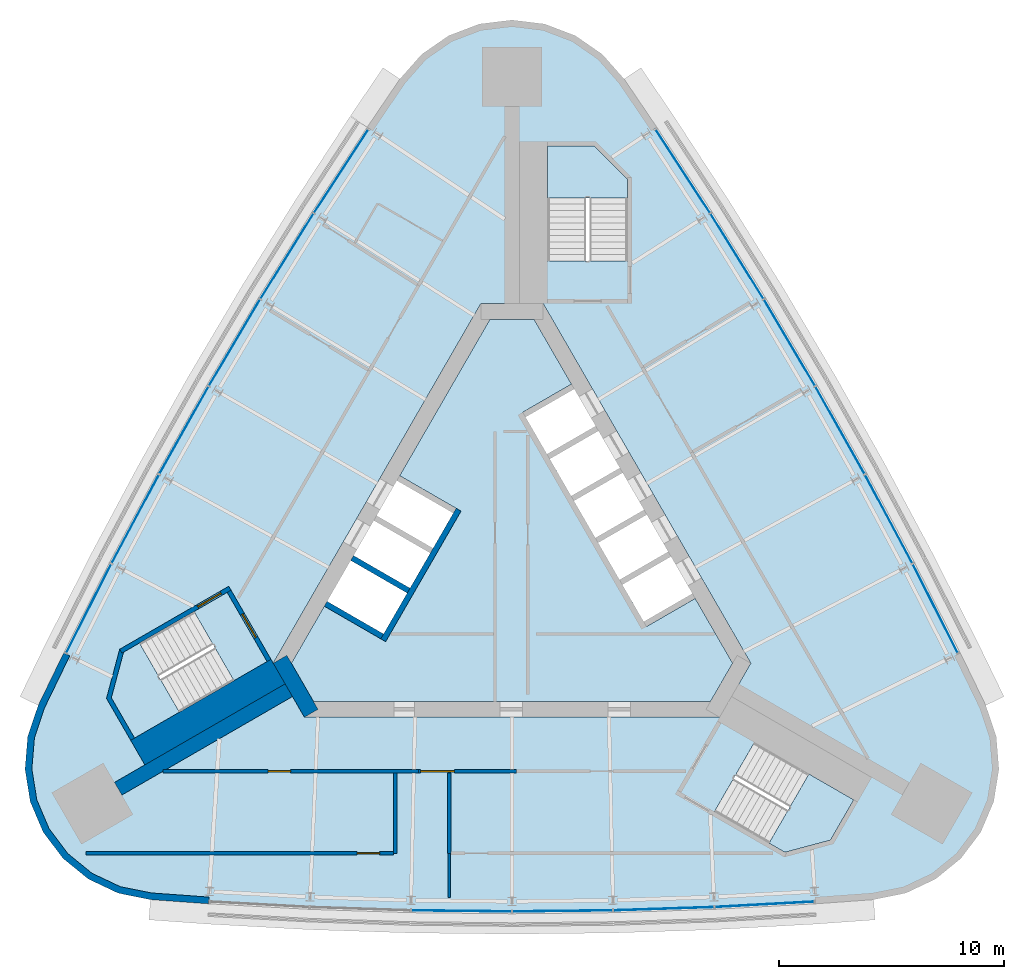
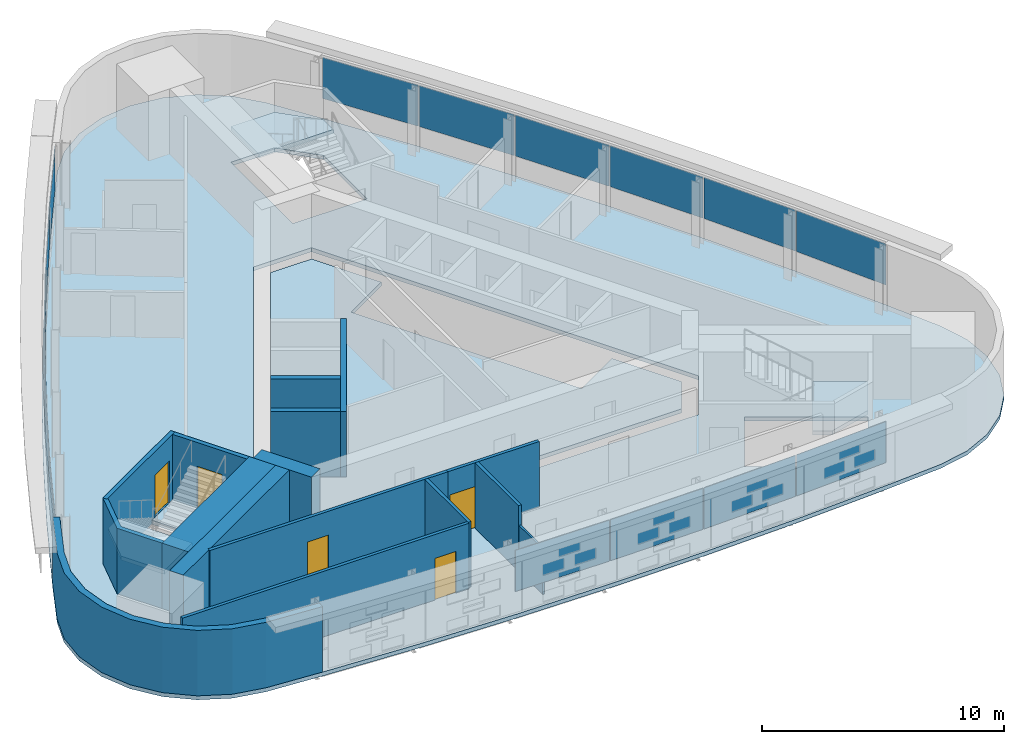
# One storey, part 6 of 11: 16 plates, 16 walls, 5 doors, 5 slabs, 5 openings, 6 elements without a shape of their own.
"""IFC4 building model written with IfcOpenShell, lengths in metres."""

from ifc_helpers import new_model, si_unit, direction, frame, frame_2d, origin, origin_2d, place, context, subcontext, project, spatial, polyline, rectangle, outline, extrude, material, layer, layer_set, type_object, element, fill, aggregate, save


model = new_model("IFC4")

# Units and contexts
model_context = context("Model", 3, precision=1e-05, world=origin(), true_north=direction((0.0, 1.0)))
body_context = subcontext(model_context, "Body", "Model", "MODEL_VIEW")
ifc_project = project(units=[si_unit("LENGTHUNIT", "METRE"), si_unit("AREAUNIT", "SQUARE_METRE"), si_unit("VOLUMEUNIT", "CUBIC_METRE"), si_unit("PLANEANGLEUNIT", "RADIAN"), si_unit("MASSUNIT", "GRAM", prefix="KILO")], contexts=[model_context])

# Site, building, storey
site_placement = place(None, origin())
site = spatial("IfcSite", under=ifc_project, at=site_placement, CompositionType="ELEMENT")
building_placement = place(site_placement, origin())
building = spatial("IfcBuilding", under=site, at=building_placement, Name="Noor Cloister Tower", CompositionType="ELEMENT")
storey_placement = place(building_placement, frame((0.0, 0.0, 206.699951171875)))
storey = spatial("IfcBuildingStorey", under=building, at=storey_placement, Name="L53", CompositionType="ELEMENT", Elevation=206.699951171875)

# Slabs
ifc_material_1 = material(Name="Concrete C40/50", Category="concrete")
ifc_layer_1 = layer(ifc_material_1, 0.199951171875)
ifc_layer_set_1 = layer_set([ifc_layer_1], Name="Core floor slab 200 C40/50")
slab_type_1 = type_object("IfcSlabType", Name="Core floor slab 200 C40/50", PredefinedType="FLOOR", material=ifc_layer_set_1)
slab_1_placement = place(storey_placement, frame((0.0, 0.0, -0.199951171875)))
element("IfcSlab", 1, at=slab_1_placement, inside=storey, type_object=slab_type_1, Name="Core floor L53", PredefinedType="FLOOR", context=body_context, shape_type="SweptSolid", body=[
    extrude(outline(polyline([(2.643798828125, 7.877197265625), (0.9814453125, 10.75634765625), (-0.9814453125, 10.75634765625), (-4.993896484375, 3.806884765625), (-2.482421875, 2.35693359375), (-5.832275390625, -3.4453125), (-8.34375, -1.995361328125), (-9.80615234375, -4.5283203125), (-8.82470703125, -6.228271484375), (8.82470703125, -6.228271484375), (9.80615234375, -4.5283203125), (8.143798828125, -1.64892578125), (5.978759765625, -2.89892578125), (0.478759765625, 6.627197265625), (2.643798828125, 7.877197265625)])), origin(), (0.0, 0.0, 1.0), 0.199951171875),
])
ifc_material_2 = material(Name="Concrete C40/50", Category="concrete")
ifc_layer_2 = layer(ifc_material_2, 0.199951171875)
ifc_layer_set_2 = layer_set([ifc_layer_2], Name="Floor slab 200 C40/50")
slab_type_2 = type_object("IfcSlabType", Name="Floor slab 200 C40/50", PredefinedType="FLOOR", material=ifc_layer_set_2)
slab_2_placement = place(storey_placement, frame((0.0, 0.0, -0.199951171875)))
element("IfcSlab", 2, at=slab_2_placement, inside=storey, type_object=slab_type_2, Name="Floor slab L53", PredefinedType="FLOOR", context=body_context, shape_type="SweptSolid", body=[
    extrude(outline(polyline([(4.985107421875, 21.43994140625), (4.018310546875, 22.535888671875), (2.816650390625, 23.36767578125), (1.45068359375, 23.88720703125), (0.0, 24.063720703125), (-1.45068359375, 23.88720703125), (-2.816650390625, 23.36767578125), (-4.018310546875, 22.535888671875), (-4.985107421875, 21.43994140625), (-6.43896484375, 19.294677734375), (-8.898681640625, 15.526611328125), (-11.275390625, 11.70556640625), (-13.56787109375, 7.83349609375), (-15.775146484375, 3.912109375), (-17.895751953125, -0.056884765625), (-19.92919921875, -4.071044921875), (-21.060302734375, -6.40283203125), (-21.52587890625, -7.7880859375), (-21.6455078125, -9.24462890625), (-21.412353515625, -10.687255859375), (-20.83984375, -12.031982421875), (-19.96142578125, -13.199951171875), (-18.82861328125, -14.123291015625), (-17.507568359375, -14.747802734375), (-16.074951171875, -15.037353515625), (-13.490234375, -15.2236328125), (-8.9970703125, -15.469970703125), (-4.499755859375, -15.61767578125), (0.0, -15.666748046875), (4.499755859375, -15.61767578125), (8.9970703125, -15.469970703125), (13.490234375, -15.2236328125), (16.074951171875, -15.037353515625), (17.507568359375, -14.747802734375), (18.82861328125, -14.123291015625), (19.96142578125, -13.199951171875), (20.83984375, -12.031982421875), (21.412353515625, -10.687255859375), (21.6455078125, -9.24462890625), (21.52587890625, -7.7880859375), (21.060302734375, -6.40283203125), (19.92919921875, -4.071044921875), (17.895751953125, -0.056884765625), (15.775146484375, 3.912109375), (13.56787109375, 7.83349609375), (11.275390625, 11.70556640625), (8.898681640625, 15.526611328125), (6.43896484375, 19.294677734375), (4.985107421875, 21.43994140625)]), holes=[polyline([(8.999755859375, -11.126220703125), (12.131591796875, -12.934326171875), (14.1572265625, -12.3916015625), (15.19091796875, -10.601318359375), (10.774658203125, -8.0517578125), (8.999755859375, -11.126220703125)]), polyline([(-17.81005859375, -6.064697265625), (-16.776611328125, -7.85498046875), (-12.3603515625, -5.305419921875), (-14.13525390625, -2.23095703125), (-16.662841796875, -3.690185546875), (-17.267333984375, -4.039306640625), (-17.81005859375, -6.064697265625)]), polyline([(-10.6142578125, -4.5283203125), (-9.228759765625, -6.92822265625), (9.228759765625, -6.92822265625), (10.6142578125, -4.5283203125), (1.3857421875, 11.456298828125), (-1.3857421875, 11.456298828125), (-10.6142578125, -4.5283203125)]), polyline([(3.65283203125, 18.456298828125), (1.585693359375, 18.456298828125), (1.585693359375, 13.35693359375), (5.135498046875, 13.35693359375), (5.135498046875, 16.9736328125), (3.65283203125, 18.456298828125)])]), origin(), (0.0, 0.0, 1.0), 0.199951171875),
])

# Curtain wall, plates
ifc_material_3 = material(Name="Aluminium 6063-T6 anodised", Category="aluminium")
curtain_wall_type = type_object("IfcCurtainWallType", Name="Ribbon curtain wall, upper tower CW5", PredefinedType="NOTDEFINED", material=ifc_material_3)
curtain_wall_1_placement = place(storey_placement, origin())
curtain_wall_1 = element("IfcCurtainWall", 3, at=curtain_wall_1_placement, inside=storey, type_object=curtain_wall_type, Name="CW5 L53 NW run 1", PredefinedType="NOTDEFINED")
ifc_material_4 = material(Name="Clear laminated glass 2 x 8 mm", Category="glass")
ifc_layer_3 = layer(ifc_material_4, 0.028076171875)
ifc_layer_set_3 = layer_set([ifc_layer_3], Name="Glass panel CW5")
plate_type = type_object("IfcPlateType", Name="Glass panel CW5", PredefinedType="CURTAIN_PANEL", material=ifc_layer_set_3)
plate_1_placement = place(storey_placement, frame((-7.594482421875, 17.341796875, 1.08984375), z_axis=(0.0, 0.0, 1.0), x_axis=(-0.546624100567, -0.837378106162, 0.0)))
plate_1 = element("IfcPlate", 4, at=plate_1_placement, type_object=plate_type, Name="CW5 glass panel 1", PredefinedType="CURTAIN_PANEL", context=body_context, shape_type="SweptSolid", body=[
    extrude(rectangle(XDim=4.413818359375, YDim=0.028076171875, at=origin_2d()), origin(), (0.0, 0.0, 1.0), 2.070068359375),
])
plate_2_placement = place(storey_placement, frame((-10.002197265625, 13.563232421875, 1.08984375), z_axis=(0.0, 0.0, 1.0), x_axis=(-0.528163163581, -0.84914290472, 0.0)))
plate_2 = element("IfcPlate", 5, at=plate_2_placement, type_object=plate_type, Name="CW5 glass panel 2", PredefinedType="CURTAIN_PANEL", context=body_context, shape_type="SweptSolid", body=[
    extrude(rectangle(XDim=4.44775390625, YDim=0.028076171875, at=origin_2d()), origin(), (0.0, 0.0, 1.0), 2.070068359375),
])
plate_3_placement = place(storey_placement, frame((-12.335693359375, 9.718505859375, 1.08984375), z_axis=(0.0, 0.0, 1.0), x_axis=(-0.509449137015, -0.860500770944, 0.0)))
plate_3 = element("IfcPlate", 6, at=plate_3_placement, type_object=plate_type, Name="CW5 glass panel 3", PredefinedType="CURTAIN_PANEL", context=body_context, shape_type="SweptSolid", body=[
    extrude(rectangle(XDim=4.44775390625, YDim=0.028076171875, at=origin_2d()), origin(), (0.0, 0.0, 1.0), 2.070068359375),
])
plate_4_placement = place(storey_placement, frame((-14.584228515625, 5.82373046875, 1.08984375), z_axis=(0.0, 0.0, 1.0), x_axis=(-0.490490959106, -0.871446280063, 0.0)))
plate_4 = element("IfcPlate", 7, at=plate_4_placement, type_object=plate_type, Name="CW5 glass panel 4", PredefinedType="CURTAIN_PANEL", context=body_context, shape_type="SweptSolid", body=[
    extrude(rectangle(XDim=4.44775390625, YDim=0.028076171875, at=origin_2d()), origin(), (0.0, 0.0, 1.0), 2.070068359375),
])
plate_5_placement = place(storey_placement, frame((-16.747314453125, 1.88037109375, 1.08984375), z_axis=(0.0, 0.0, 1.0), x_axis=(-0.471297745141, -0.881974169364, 0.0)))
plate_5 = element("IfcPlate", 8, at=plate_5_placement, type_object=plate_type, Name="CW5 glass panel 5", PredefinedType="CURTAIN_PANEL", context=body_context, shape_type="SweptSolid", body=[
    extrude(rectangle(XDim=4.44775390625, YDim=0.028076171875, at=origin_2d()), origin(), (0.0, 0.0, 1.0), 2.070068359375),
])
plate_6_placement = place(storey_placement, frame((-18.815673828125, -2.093994140625, 1.08984375), z_axis=(0.0, 0.0, 1.0), x_axis=(-0.451878662226, -0.892079410493, 0.0)))
plate_6 = element("IfcPlate", 9, at=plate_6_placement, type_object=plate_type, Name="CW5 glass panel 6", PredefinedType="CURTAIN_PANEL", context=body_context, shape_type="SweptSolid", body=[
    extrude(rectangle(XDim=4.413818359375, YDim=0.028076171875, at=origin_2d()), origin(), (0.0, 0.0, 1.0), 2.070068359375),
])
aggregate(curtain_wall_1, [plate_1, plate_2, plate_3, plate_4, plate_5, plate_6])

curtain_wall_2_placement = place(storey_placement, origin())
curtain_wall_2 = element("IfcCurtainWall", 10, at=curtain_wall_2_placement, inside=storey, type_object=curtain_wall_type, Name="CW5 L53 S run 2", PredefinedType="NOTDEFINED")
plate_7_placement = place(storey_placement, frame((-2.248779296875, -15.542236328125, 1.08984375), z_axis=(0.0, 0.0, 1.0), x_axis=(0.999940096121, -0.010945509119, 0.0)))
plate_7 = element("IfcPlate", 11, at=plate_7_placement, type_object=plate_type, Name="CW5 glass panel 3", PredefinedType="CURTAIN_PANEL", context=body_context, shape_type="SweptSolid", body=[
    extrude(rectangle(XDim=4.44775390625, YDim=0.028076171875, at=origin_2d()), origin(), (0.0, 0.0, 1.0), 2.070068359375),
])
plate_8_placement = place(storey_placement, frame((2.248779296875, -15.542236328125, 1.08984375), z_axis=(0.0, 0.0, 1.0), x_axis=(0.999940096121, 0.010945509119, 0.0)))
plate_8 = element("IfcPlate", 12, at=plate_8_placement, type_object=plate_type, Name="CW5 glass panel 4", PredefinedType="CURTAIN_PANEL", context=body_context, shape_type="SweptSolid", body=[
    extrude(rectangle(XDim=4.44775390625, YDim=0.028076171875, at=origin_2d()), origin(), (0.0, 0.0, 1.0), 2.070068359375),
])
plate_9_placement = place(storey_placement, frame((6.7451171875, -15.44384765625, 1.08984375), z_axis=(0.0, 0.0, 1.0), x_axis=(0.999460908721, 0.032831264644, 0.0)))
plate_9 = element("IfcPlate", 13, at=plate_9_placement, type_object=plate_type, Name="CW5 glass panel 5", PredefinedType="CURTAIN_PANEL", context=body_context, shape_type="SweptSolid", body=[
    extrude(rectangle(XDim=4.44775390625, YDim=0.028076171875, at=origin_2d()), origin(), (0.0, 0.0, 1.0), 2.070068359375),
])
plate_10_placement = place(storey_placement, frame((11.221435546875, -15.247802734375, 1.08984375), z_axis=(0.0, 0.0, 1.0), x_axis=(0.998502762793, 0.054701304331, 0.0)))
plate_10 = element("IfcPlate", 14, at=plate_10_placement, type_object=plate_type, Name="CW5 glass panel 6", PredefinedType="CURTAIN_PANEL", context=body_context, shape_type="SweptSolid", body=[
    extrude(rectangle(XDim=4.413818359375, YDim=0.028076171875, at=origin_2d()), origin(), (0.0, 0.0, 1.0), 2.070068359375),
])
aggregate(curtain_wall_2, [plate_7, plate_8, plate_9, plate_10])

curtain_wall_3_placement = place(storey_placement, origin())
curtain_wall_3 = element("IfcCurtainWall", 15, at=curtain_wall_3_placement, inside=storey, type_object=curtain_wall_type, Name="CW5 L53 NE run 3", PredefinedType="NOTDEFINED")
plate_11_placement = place(storey_placement, frame((18.815673828125, -2.093994140625, 1.08984375), z_axis=(0.0, 0.0, 1.0), x_axis=(-0.451878662226, 0.892079410493, 0.0)))
plate_11 = element("IfcPlate", 16, at=plate_11_placement, type_object=plate_type, Name="CW5 glass panel 1", PredefinedType="CURTAIN_PANEL", context=body_context, shape_type="SweptSolid", body=[
    extrude(rectangle(XDim=4.413818359375, YDim=0.028076171875, at=origin_2d()), origin(), (0.0, 0.0, 1.0), 2.070068359375),
])
plate_12_placement = place(storey_placement, frame((16.747314453125, 1.88037109375, 1.08984375), z_axis=(0.0, 0.0, 1.0), x_axis=(-0.471297745141, 0.881974169364, 0.0)))
plate_12 = element("IfcPlate", 17, at=plate_12_placement, type_object=plate_type, Name="CW5 glass panel 2", PredefinedType="CURTAIN_PANEL", context=body_context, shape_type="SweptSolid", body=[
    extrude(rectangle(XDim=4.44775390625, YDim=0.028076171875, at=origin_2d()), origin(), (0.0, 0.0, 1.0), 2.070068359375),
])
plate_13_placement = place(storey_placement, frame((14.584228515625, 5.82373046875, 1.08984375), z_axis=(0.0, 0.0, 1.0), x_axis=(-0.490490959106, 0.871446280063, 0.0)))
plate_13 = element("IfcPlate", 18, at=plate_13_placement, type_object=plate_type, Name="CW5 glass panel 3", PredefinedType="CURTAIN_PANEL", context=body_context, shape_type="SweptSolid", body=[
    extrude(rectangle(XDim=4.44775390625, YDim=0.028076171875, at=origin_2d()), origin(), (0.0, 0.0, 1.0), 2.070068359375),
])
plate_14_placement = place(storey_placement, frame((12.335693359375, 9.718505859375, 1.08984375), z_axis=(0.0, 0.0, 1.0), x_axis=(-0.509449137015, 0.860500770944, 0.0)))
plate_14 = element("IfcPlate", 19, at=plate_14_placement, type_object=plate_type, Name="CW5 glass panel 4", PredefinedType="CURTAIN_PANEL", context=body_context, shape_type="SweptSolid", body=[
    extrude(rectangle(XDim=4.44775390625, YDim=0.028076171875, at=origin_2d()), origin(), (0.0, 0.0, 1.0), 2.070068359375),
])
plate_15_placement = place(storey_placement, frame((10.002197265625, 13.563232421875, 1.08984375), z_axis=(0.0, 0.0, 1.0), x_axis=(-0.528163163581, 0.84914290472, 0.0)))
plate_15 = element("IfcPlate", 20, at=plate_15_placement, type_object=plate_type, Name="CW5 glass panel 5", PredefinedType="CURTAIN_PANEL", context=body_context, shape_type="SweptSolid", body=[
    extrude(rectangle(XDim=4.44775390625, YDim=0.028076171875, at=origin_2d()), origin(), (0.0, 0.0, 1.0), 2.070068359375),
])
plate_16_placement = place(storey_placement, frame((7.594482421875, 17.341796875, 1.08984375), z_axis=(0.0, 0.0, 1.0), x_axis=(-0.546624100567, 0.837378106162, 0.0)))
plate_16 = element("IfcPlate", 21, at=plate_16_placement, type_object=plate_type, Name="CW5 glass panel 6", PredefinedType="CURTAIN_PANEL", context=body_context, shape_type="SweptSolid", body=[
    extrude(rectangle(XDim=4.413818359375, YDim=0.028076171875, at=origin_2d()), origin(), (0.0, 0.0, 1.0), 2.070068359375),
])
aggregate(curtain_wall_3, [plate_11, plate_12, plate_13, plate_14, plate_15, plate_16])

# Stair, slab
ifc_material_5 = material(Name="Concrete C40/50", Category="concrete")
stair_type = type_object("IfcStairType", Name="Exit stair 22 risers", PredefinedType="HALF_TURN_STAIR", material=ifc_material_5)
stair_1_placement = place(storey_placement, origin())
stair_1 = element("IfcStair", 22, at=stair_1_placement, inside=storey, type_object=stair_type, Name="Exit stair ST1 L53", PredefinedType="HALF_TURN_STAIR")
ifc_material_6 = material(Name="Concrete C40/50", Category="concrete")
ifc_layer_4 = layer(ifc_material_6, 0.199951171875)
ifc_layer_set_4 = layer_set([ifc_layer_4], Name="Stair landing 200 C40/50")
slab_type_3 = type_object("IfcSlabType", Name="Stair landing 200 C40/50", PredefinedType="LANDING", material=ifc_layer_set_4)
slab_3_placement = place(storey_placement, frame((0.0, 0.0, 1.60009765625)))
slab_3 = element("IfcSlab", 23, at=slab_3_placement, type_object=slab_type_3, Name="ST1 landing 1", PredefinedType="LANDING", context=body_context, shape_type="SweptSolid", body=[
    extrude(outline(polyline([(5.135498046875, 16.15576171875), (5.135498046875, 16.9736328125), (3.65283203125, 18.456298828125), (1.585693359375, 18.456298828125), (1.585693359375, 16.15576171875), (5.135498046875, 16.15576171875)])), origin(), (0.0, 0.0, 1.0), 0.199951171875),
])
aggregate(stair_1, [slab_3])

stair_2_placement = place(storey_placement, origin())
stair_2 = element("IfcStair", 24, at=stair_2_placement, inside=storey, type_object=stair_type, Name="Exit stair ST2 L53", PredefinedType="HALF_TURN_STAIR")
slab_4_placement = place(storey_placement, frame((0.0, 0.0, 1.60009765625)))
slab_4 = element("IfcSlab", 25, at=slab_4_placement, type_object=slab_type_3, Name="ST2 landing 1", PredefinedType="LANDING", context=body_context, shape_type="SweptSolid", body=[
    extrude(outline(polyline([(-16.55908203125, -3.63037109375), (-17.267333984375, -4.039306640625), (-17.81005859375, -6.064697265625), (-16.776611328125, -7.85498046875), (-14.7841796875, -6.70458984375), (-16.55908203125, -3.63037109375)])), origin(), (0.0, 0.0, 1.0), 0.199951171875),
])
aggregate(stair_2, [slab_4])

stair_3_placement = place(storey_placement, origin())
stair_3 = element("IfcStair", 26, at=stair_3_placement, inside=storey, type_object=stair_type, Name="Exit stair ST3 L53", PredefinedType="HALF_TURN_STAIR")
slab_5_placement = place(storey_placement, frame((0.0, 0.0, 1.60009765625)))
slab_5 = element("IfcSlab", 27, at=slab_5_placement, type_object=slab_type_3, Name="ST3 landing 1", PredefinedType="LANDING", context=body_context, shape_type="SweptSolid", body=[
    extrude(outline(polyline([(11.423583984375, -12.525390625), (12.131591796875, -12.934326171875), (14.1572265625, -12.3916015625), (15.19091796875, -10.601318359375), (13.198486328125, -9.451171875), (11.423583984375, -12.525390625)])), origin(), (0.0, 0.0, 1.0), 0.199951171875),
])
aggregate(stair_3, [slab_5])

# Walls
ifc_material_7 = material(Name="Concrete C70/85", Category="concrete")
ifc_layer_5 = layer(ifc_material_7, 0.64990234375)
ifc_layer_set_5 = layer_set([ifc_layer_5], Name="Buttress wall 650 C70/85")
wall_type_1 = type_object("IfcWallType", Name="Buttress wall 650 C70/85", PredefinedType="SHEAR", material=ifc_layer_set_5)
wall_1_placement = place(storey_placement, frame((-9.921630859375, -5.728271484375, -0.199951171875), z_axis=(0.0, 0.0, 1.0), x_axis=(-0.866030064713, -0.499991926948, 0.0)))
element("IfcWall", 28, at=wall_1_placement, inside=storey, type_object=wall_type_1, Name="Buttress wall SW L53", PredefinedType="SHEAR", context=body_context, shape_type="SweptSolid", body=[
    extrude(rectangle(XDim=8.757568359375, YDim=0.64990234375, at=frame_2d((4.37890625, 0.0))), origin(), (0.0, 0.0, 1.0), 3.5),
])
ifc_material_8 = material(Name="Concrete C70/85", Category="concrete")
ifc_layer_6 = layer(ifc_material_8, 0.699951171875)
ifc_layer_set_6 = layer_set([ifc_layer_6], Name="Core wall 700 C70/85")
wall_type_2 = type_object("IfcWallType", Name="Core wall 700 C70/85", PredefinedType="SHEAR", material=ifc_layer_set_6)
wall_2_placement = place(storey_placement, frame((-10.311279296875, -4.353271484375, -0.199951171875), z_axis=(0.0, 0.0, 1.0), x_axis=(0.500042739161, -0.866000726912, 0.0)))
element("IfcWall", 29, at=wall_2_placement, inside=storey, type_object=wall_type_2, Name="Core wall L53 6", PredefinedType="SHEAR", context=body_context, shape_type="SweptSolid", body=[
    extrude(rectangle(XDim=2.771240234375, YDim=0.699951171875, at=frame_2d((1.3857421875, 0.0))), origin(), (0.0, 0.0, 1.0), 3.5),
])

# Wall, opening, door
ifc_material_9 = material(Name="Gypsum board partition on steel studs, 150 mm", Category="steel")
ifc_layer_7 = layer(ifc_material_9, 0.14990234375)
ifc_layer_set_7 = layer_set([ifc_layer_7], Name="Flat wall 150")
wall_type_3 = type_object("IfcWallType", Name="Flat wall 150", PredefinedType="PARTITIONING", material=ifc_layer_set_7)
wall_3_placement = place(storey_placement, frame((-15.5068359375, -9.328125, 0.0), z_axis=(0.0, 0.0, 1.0), x_axis=(1.0, 0.0, 0.0)))
wall_3 = element("IfcWall", 30, at=wall_3_placement, inside=storey, type_object=wall_type_3, Name="Wall L53-W06", PredefinedType="PARTITIONING", context=body_context, shape_type="SweptSolid", body=[
    extrude(rectangle(XDim=11.344970703125, YDim=0.14990234375, at=frame_2d((5.67236328125, 0.0))), origin(), (0.0, 0.0, 1.0), 3.300048828125),
])
opening_1_placement = place(wall_3_placement, frame((4.661376953125, 0.0, 0.0)))
opening_1 = element("IfcOpeningElement", 31, at=opening_1_placement, cuts=wall_3, Name="Opening L53-006", PredefinedType="OPENING", context=body_context, shape_type="SweptSolid", body=[
    extrude(rectangle(XDim=1.0, YDim=2.10009765625, at=frame_2d((0.5, 1.050048828125))), frame((0.0, 0.0849609375, 0.0), z_axis=(0.0, -1.0, 0.0), x_axis=(1.0, 0.0, 0.0)), (0.0, 0.0, 1.0), 0.169921875),
])
ifc_material_10 = material(Name="Timber door leaf with steel frame", Category="steel")
door_type_1 = type_object("IfcDoorType", Name="Interior door 1000 FD60", OperationType="NOTDEFINED", PredefinedType="DOOR", material=ifc_material_10)
door_1_placement = place(opening_1_placement, origin())
door_1 = element("IfcDoor", 32, at=door_1_placement, inside=storey, type_object=door_type_1, Name="Door L53-006", OperationType="SINGLE_SWING_RIGHT", OverallHeight=2.10009765625, OverallWidth=1.0, PredefinedType="DOOR", context=body_context, shape_type="SweptSolid", body=[
    extrude(rectangle(XDim=1.0, YDim=2.10009765625, at=frame_2d((0.5, 1.050048828125))), frame((0.0, 0.02490234375, 0.0), z_axis=(0.0, -1.0, 0.0), x_axis=(1.0, 0.0, 0.0)), (0.0, 0.0, 1.0), 0.050048828125),
])
fill(opening_1, door_1)

wall_4_placement = place(storey_placement, frame((-4.161865234375, -9.328125, 0.0), z_axis=(0.0, 0.0, 1.0), x_axis=(1.0, 0.0, 0.0)))
wall_4 = element("IfcWall", 33, at=wall_4_placement, inside=storey, type_object=wall_type_3, Name="Wall L53-W08", PredefinedType="PARTITIONING", context=body_context, shape_type="SweptSolid", body=[
    extrude(rectangle(XDim=4.36181640625, YDim=0.14990234375, at=frame_2d((2.180908203125, 0.0))), origin(), (0.0, 0.0, 1.0), 3.300048828125),
])
opening_2_placement = place(wall_4_placement, frame((0.10009765625, 0.0, 0.0)))
opening_2 = element("IfcOpeningElement", 34, at=opening_2_placement, cuts=wall_4, Name="Opening L53-004", PredefinedType="OPENING", context=body_context, shape_type="SweptSolid", body=[
    extrude(rectangle(XDim=1.5, YDim=2.10009765625, at=frame_2d((0.75, 1.050048828125))), frame((0.0, 0.0849609375, 0.0), z_axis=(0.0, -1.0, 0.0), x_axis=(1.0, 0.0, 0.0)), (0.0, 0.0, 1.0), 0.169921875),
])
ifc_material_11 = material(Name="Timber door leaf with steel frame", Category="steel")
door_type_2 = type_object("IfcDoorType", Name="Double door 1500 FD60", OperationType="NOTDEFINED", PredefinedType="DOOR", material=ifc_material_11)
door_2_placement = place(opening_2_placement, origin())
door_2 = element("IfcDoor", 35, at=door_2_placement, inside=storey, type_object=door_type_2, Name="Door L53-004", OperationType="DOUBLE_DOOR_SINGLE_SWING", OverallHeight=2.10009765625, OverallWidth=1.5, PredefinedType="DOOR", context=body_context, shape_type="SweptSolid", body=[
    extrude(rectangle(XDim=1.5, YDim=2.10009765625, at=frame_2d((0.75, 1.050048828125))), frame((0.0, 0.02490234375, 0.0), z_axis=(0.0, -1.0, 0.0), x_axis=(1.0, 0.0, 0.0)), (0.0, 0.0, 1.0), 0.050048828125),
])
fill(opening_2, door_2)

# Walls
for number, where, z_axis, x_axis, name in (
    (36, (-5.184326171875, -9.4033203125, 0.0), (0.0, 0.0, 1.0), (0.0, -1.0, 0.0), "Wall L53-W09"),
    (37, (-2.784423828125, -9.4033203125, 0.0), (0.0, 0.0, 1.0), (0.0, -1.0, 0.0), "Wall L53-W10"),
):
    element("IfcWall", number, at=place(storey_placement, frame(where, z_axis=z_axis, x_axis=x_axis)), inside=storey, type_object=wall_type_3, Name=name, PredefinedType="PARTITIONING", context=body_context, shape_type="SweptSolid", body=[
        extrude(rectangle(XDim=3.5751953125, YDim=0.14990234375, at=frame_2d((1.78759765625, 0.0))), origin(), (0.0, 0.0, 1.0), 3.300048828125),
    ])

# Wall, opening, door
wall_5_placement = place(storey_placement, frame((-18.9296875, -12.978515625, 0.0), z_axis=(0.0, 0.0, 1.0), x_axis=(1.0, 0.0, 0.0)))
wall_5 = element("IfcWall", 38, at=wall_5_placement, inside=storey, type_object=wall_type_3, Name="Wall L53-W12", PredefinedType="PARTITIONING", context=body_context, shape_type="SweptSolid", body=[
    extrude(rectangle(XDim=13.670166015625, YDim=0.14990234375, at=frame_2d((6.8349609375, 0.0))), origin(), (0.0, 0.0, 1.0), 3.300048828125),
])
opening_3_placement = place(wall_5_placement, frame((12.045166015625, 0.0, 0.0)))
opening_3 = element("IfcOpeningElement", 39, at=opening_3_placement, cuts=wall_5, Name="Opening L53-005", PredefinedType="OPENING", context=body_context, shape_type="SweptSolid", body=[
    extrude(rectangle(XDim=1.0, YDim=2.10009765625, at=frame_2d((0.5, 1.050048828125))), frame((0.0, 0.0849609375, 0.0), z_axis=(0.0, -1.0, 0.0), x_axis=(1.0, 0.0, 0.0)), (0.0, 0.0, 1.0), 0.169921875),
])
door_3_placement = place(opening_3_placement, origin())
door_3 = element("IfcDoor", 40, at=door_3_placement, inside=storey, type_object=door_type_1, Name="Door L53-005", OperationType="SINGLE_SWING_LEFT", OverallHeight=2.10009765625, OverallWidth=1.0, PredefinedType="DOOR", context=body_context, shape_type="SweptSolid", body=[
    extrude(rectangle(XDim=1.0, YDim=2.10009765625, at=frame_2d((0.5, 1.050048828125))), frame((0.0, 0.02490234375, 0.0), z_axis=(0.0, -1.0, 0.0), x_axis=(1.0, 0.0, 0.0)), (0.0, 0.0, 1.0), 0.050048828125),
])
fill(opening_3, door_3)

# Walls
ifc_material_12 = material(Name="Limestone", Category="masonry")
ifc_layer_8 = layer(ifc_material_12, 0.300048828125)
ifc_layer_set_8 = layer_set([ifc_layer_8], Name="Limestone cladding 300")
wall_type_4 = type_object("IfcWallType", Name="Limestone cladding 300", PredefinedType="NOTDEFINED", material=ifc_layer_set_8)
wall_6_placement = place(storey_placement, origin())
element("IfcWall", 41, at=wall_6_placement, inside=storey, type_object=wall_type_4, Name="Limestone pier cladding L53 1.1", PredefinedType="NOTDEFINED", context=body_context, shape_type="SweptSolid", body=[
    extrude(outline(polyline([(-19.92919921875, -4.071044921875), (-21.060302734375, -6.40283203125), (-21.52587890625, -7.7880859375), (-21.6455078125, -9.24462890625), (-21.412353515625, -10.687255859375), (-20.83984375, -12.03173828125), (-19.96142578125, -13.199951171875), (-18.82861328125, -14.123291015625), (-17.507568359375, -14.747802734375), (-16.074951171875, -15.037353515625), (-13.490234375, -15.2236328125), (-13.46875, -14.924560546875), (-16.034423828125, -14.739501953125), (-17.412353515625, -14.4609375), (-18.66748046875, -13.86767578125), (-19.74365234375, -12.990478515625), (-20.578125, -11.880859375), (-21.121826171875, -10.603271484375), (-21.343505859375, -9.232666015625), (-21.229736328125, -7.848876953125), (-20.781982421875, -6.516357421875), (-19.659423828125, -4.201904296875), (-19.92919921875, -4.071044921875)])), origin(), (0.0, 0.0, 1.0), 3.300048828125),
])
ifc_material_13 = material(Name="Gypsum board partition on steel studs, 100 mm", Category="steel")
ifc_layer_9 = layer(ifc_material_13, 0.10009765625)
ifc_layer_set_9 = layer_set([ifc_layer_9], Name="Partition 100")
wall_type_5 = type_object("IfcWallType", Name="Partition 100", PredefinedType="PARTITIONING", material=ifc_layer_set_9)
wall_7_placement = place(storey_placement, frame((-2.784423828125, -12.978515625, 0.0), z_axis=(0.0, 0.0, 1.0), x_axis=(0.0, -1.0, 0.0)))
element("IfcWall", 42, at=wall_7_placement, inside=storey, type_object=wall_type_5, Name="Wall L53-W11", PredefinedType="PARTITIONING", context=body_context, shape_type="SweptSolid", body=[
    extrude(rectangle(XDim=1.957763671875, YDim=0.10009765625, at=frame_2d((0.97900390625, 0.0))), origin(), (0.0, 0.0, 1.0), 2.297119140625),
])
ifc_material_14 = material(Name="Concrete C70/85", Category="concrete")
ifc_layer_10 = layer(ifc_material_14, 0.25)
ifc_layer_set_10 = layer_set([ifc_layer_10], Name="Shaft wall 250 C70/85")
wall_type_6 = type_object("IfcWallType", Name="Shaft wall 250 C70/85", PredefinedType="PARTITIONING", material=ifc_layer_set_10)
for number, where, z_axis, x_axis, name in (
    (43, (-7.106201171875, 0.14794921875, -0.199951171875), (0.0, 0.0, 1.0), (0.866032775405, -0.499987231761, 0.0), "Lift shaft wall L53 NW 5"),
    (44, (-8.28125, -1.88720703125, -0.199951171875), (0.0, 0.0, 1.0), (0.866032775405, -0.499987231761, 0.0), "Lift shaft wall L53 NW 6"),
):
    element("IfcWall", number, at=place(storey_placement, frame(where, z_axis=z_axis, x_axis=x_axis)), inside=storey, type_object=wall_type_6, Name=name, PredefinedType="PARTITIONING", context=body_context, shape_type="SweptSolid", body=[
        extrude(rectangle(XDim=2.89990234375, YDim=0.25, at=frame_2d((1.449951171875, 0.0))), origin(), (0.0, 0.0, 1.0), 3.5),
    ])
wall_8_placement = place(storey_placement, frame((-2.3740234375, 2.29443359375, 0.0), z_axis=(0.0, 0.0, 1.0), x_axis=(-0.500003174267, -0.866023571113, 0.0)))
element("IfcWall", 45, at=wall_8_placement, inside=storey, type_object=wall_type_6, Name="Lift shaft back wall L53 NW", PredefinedType="PARTITIONING", context=body_context, shape_type="SweptSolid", body=[
    extrude(rectangle(XDim=6.7001953125, YDim=0.25, at=frame_2d((3.35009765625, 0.0))), origin(), (0.0, 0.0, 1.0), 3.300048828125),
])
ifc_material_15 = material(Name="Concrete C70/85", Category="concrete")
ifc_layer_11 = layer(ifc_material_15, 1.260986328125)
ifc_layer_set_11 = layer_set([ifc_layer_11], Name="Stair enclosure wall 1261 C70/85")
wall_type_7 = type_object("IfcWallType", Name="Stair enclosure wall 1261 C70/85", PredefinedType="SHEAR", material=ifc_layer_set_11)
wall_9_placement = place(storey_placement, frame((-10.399169921875, -4.90087890625, -0.199951171875), z_axis=(0.0, 0.0, 1.0), x_axis=(-0.866018442252, -0.500012057535, 0.0)))
element("IfcWall", 46, at=wall_9_placement, inside=storey, type_object=wall_type_7, Name="Stair enclosure wall ST2 L53 riser side", PredefinedType="SHEAR", context=body_context, shape_type="SweptSolid", body=[
    extrude(rectangle(XDim=7.199951171875, YDim=1.2607421875, at=frame_2d((3.60009765625, 0.0))), origin(), (0.0, 0.0, 1.0), 3.5),
])

# Wall, opening, door
ifc_material_16 = material(Name="Concrete C70/85", Category="concrete")
ifc_layer_12 = layer(ifc_material_16, 0.199951171875)
ifc_layer_set_12 = layer_set([ifc_layer_12], Name="Stair enclosure wall 200 C70/85")
wall_type_8 = type_object("IfcWallType", Name="Stair enclosure wall 200 C70/85", PredefinedType="SHEAR", material=ifc_layer_set_12)
wall_10_placement = place(storey_placement, frame((-12.575927734375, -1.33056640625, -0.199951171875), z_axis=(0.0, 0.0, 1.0), x_axis=(0.499970499736, -0.8660424351, 0.0)))
wall_10 = element("IfcWall", 47, at=wall_10_placement, inside=storey, type_object=wall_type_8, Name="Stair enclosure wall ST2 L53 near end", PredefinedType="SHEAR", context=body_context, shape_type="SweptSolid", body=[
    extrude(rectangle(XDim=3.550048828125, YDim=0.199951171875, at=frame_2d((1.77490234375, 0.0))), origin(), (0.0, 0.0, 1.0), 3.5),
])
opening_4_placement = place(wall_10_placement, frame((1.175048828125, 0.0, 0.199951171875)))
opening_4 = element("IfcOpeningElement", 48, at=opening_4_placement, cuts=wall_10, Name="Opening L53-ST2L", PredefinedType="OPENING", context=body_context, shape_type="SweptSolid", body=[
    extrude(rectangle(XDim=1.199951171875, YDim=2.10009765625, at=frame_2d((0.60009765625, 1.050048828125))), frame((0.0, 0.10986328125, 0.0), z_axis=(0.0, -1.0, 0.0), x_axis=(1.0, 0.0, 0.0)), (0.0, 0.0, 1.0), 0.219970703125),
])
ifc_material_17 = material(Name="Steel", Category="steel")
door_type_3 = type_object("IfcDoorType", Name="Stair door 1200 x 2100 FD120", OperationType="SINGLE_SWING_LEFT", PredefinedType="DOOR", material=ifc_material_17)
door_4_placement = place(opening_4_placement, origin())
door_4 = element("IfcDoor", 49, at=door_4_placement, inside=storey, type_object=door_type_3, Name="Stair door ST2 L53", OperationType="SINGLE_SWING_RIGHT", OverallHeight=2.10009765625, OverallWidth=1.199951171875, PredefinedType="DOOR", context=body_context, shape_type="SweptSolid", body=[
    extrude(rectangle(XDim=1.199951171875, YDim=2.10009765625, at=frame_2d((0.60009765625, 1.050048828125))), frame((0.0, 0.02490234375, 0.0), z_axis=(0.0, -1.0, 0.0), x_axis=(1.0, 0.0, 0.0)), (0.0, 0.0, 1.0), 0.050048828125),
])
fill(opening_4, door_4)

wall_11_placement = place(storey_placement, frame((-12.539306640625, -1.194091796875, -0.199951171875), z_axis=(0.0, 0.0, 1.0), x_axis=(-0.866045472092, -0.499965239061, 0.0)))
wall_11 = element("IfcWall", 50, at=wall_11_placement, inside=storey, type_object=wall_type_8, Name="Stair enclosure wall ST2 L53 outer side", PredefinedType="SHEAR", context=body_context, shape_type="SweptSolid", body=[
    extrude(rectangle(XDim=5.60009765625, YDim=0.199951171875, at=frame_2d((2.800048828125, 0.0))), origin(), (0.0, 0.0, 1.0), 3.5),
])
opening_5_placement = place(wall_11_placement, frame((0.449951171875, 0.0, 0.199951171875)))
opening_5 = element("IfcOpeningElement", 51, at=opening_5_placement, cuts=wall_11, Name="Opening L53-ST2C", PredefinedType="OPENING", context=body_context, shape_type="SweptSolid", body=[
    extrude(rectangle(XDim=1.199951171875, YDim=2.10009765625, at=frame_2d((0.60009765625, 1.050048828125))), frame((0.0, 0.10986328125, 0.0), z_axis=(0.0, -1.0, 0.0), x_axis=(1.0, 0.0, 0.0)), (0.0, 0.0, 1.0), 0.219970703125),
])
door_5_placement = place(opening_5_placement, origin())
door_5 = element("IfcDoor", 52, at=door_5_placement, inside=storey, type_object=door_type_3, Name="Stair door ST2 L53", OperationType="SINGLE_SWING_LEFT", OverallHeight=2.10009765625, OverallWidth=1.199951171875, PredefinedType="DOOR", context=body_context, shape_type="SweptSolid", body=[
    extrude(rectangle(XDim=1.199951171875, YDim=2.10009765625, at=frame_2d((0.60009765625, 1.050048828125))), frame((0.0, 0.02490234375, 0.0), z_axis=(0.0, -1.0, 0.0), x_axis=(1.0, 0.0, 0.0)), (0.0, 0.0, 1.0), 0.050048828125),
])
fill(opening_5, door_5)

# Wall
ifc_material_18 = material(Name="Concrete C70/85", Category="concrete")
wall_type_9 = type_object("IfcWallType", Name="Stair far end wall C70/85", PredefinedType="SHEAR", material=ifc_material_18)
wall_12_placement = place(storey_placement, frame((0.0, 0.0, -0.199951171875)))
element("IfcWall", 53, at=wall_12_placement, inside=storey, type_object=wall_type_9, Name="Stair enclosure wall ST2 L53 far end", PredefinedType="SHEAR", context=body_context, shape_type="SweptSolid", body=[
    extrude(outline(polyline([(-17.439208984375, -3.907470703125), (-18.024658203125, -6.093017578125), (-16.94970703125, -7.955078125), (-16.776611328125, -7.85498046875), (-17.81005859375, -6.064697265625), (-17.267333984375, -4.039306640625), (-17.339111328125, -4.08056640625), (-17.339111328125, -4.08056640625), (-17.339111328125, -4.08056640625), (-17.339111328125, -4.08056640625), (-17.339111328125, -4.08056640625), (-17.339111328125, -4.08056640625), (-17.339111328125, -4.08056640625), (-17.339111328125, -4.08056640625), (-17.339111328125, -4.08056640625), (-17.339111328125, -4.08056640625), (-17.339111328125, -4.08056640625), (-17.339111328125, -4.08056640625), (-17.339111328125, -4.08056640625), (-17.339111328125, -4.08056640625), (-17.339111328125, -4.08056640625), (-17.339111328125, -4.08056640625), (-17.339111328125, -4.08056640625), (-17.439208984375, -3.907470703125)])), origin(), (0.0, 0.0, 1.0), 3.5),
])

save(model, "model.ifc")
